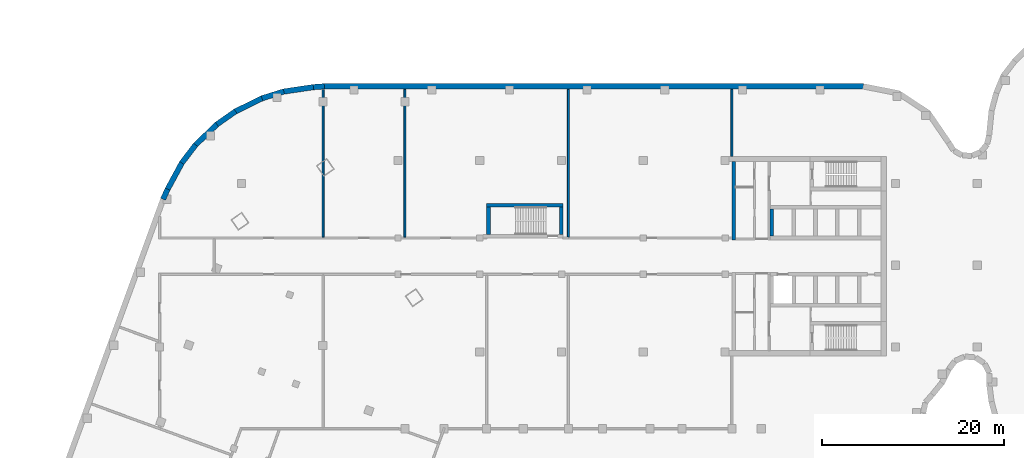
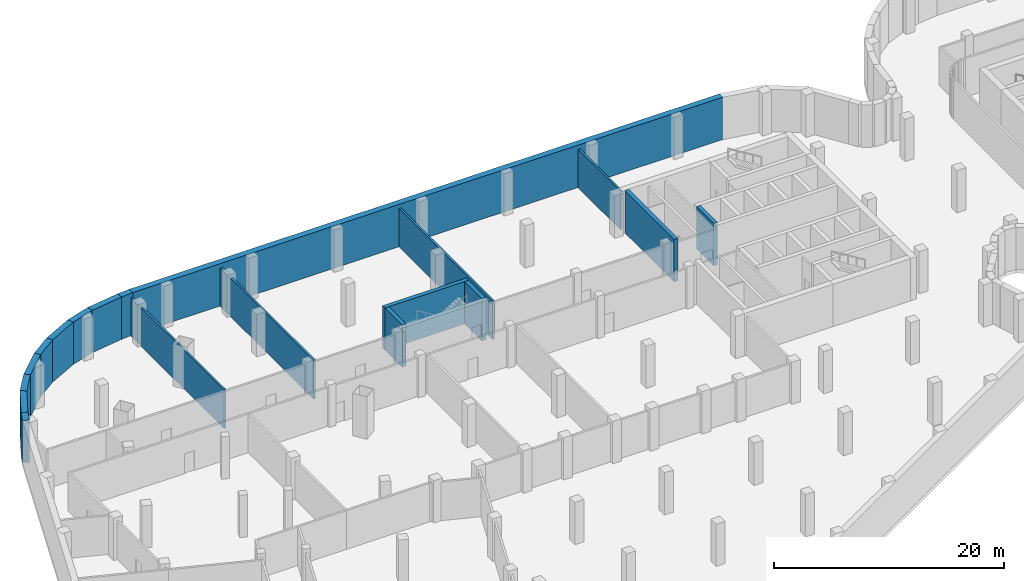
# One storey, part 9 of 16: 19 walls.
"""IFC4 building model written with IfcOpenShell, lengths in metres."""

from ifc_helpers import new_model, si_unit, direction, frame, frame_2d, origin, place, context, subcontext, project, spatial, rectangle, extrude, material, layer, layer_set, type_object, element, save


model = new_model("IFC4")

# Units and contexts
model_context = context("Model", 3, precision=1e-05, world=origin(), true_north=direction((0.0, 1.0)))
body_context = subcontext(model_context, "Body", "Model", "MODEL_VIEW")
ifc_project = project(units=[si_unit("LENGTHUNIT", "METRE"), si_unit("AREAUNIT", "SQUARE_METRE"), si_unit("VOLUMEUNIT", "CUBIC_METRE"), si_unit("PLANEANGLEUNIT", "RADIAN"), si_unit("MASSUNIT", "GRAM", prefix="KILO")], contexts=[model_context])

# Site, building, storey
site_placement = place(None, origin())
site = spatial("IfcSite", under=ifc_project, at=site_placement, CompositionType="ELEMENT")
building_placement = place(site_placement, origin())
building = spatial("IfcBuilding", under=site, at=building_placement, Name="Skarvind Civic Tower", CompositionType="ELEMENT")
storey_placement = place(building_placement, frame((0.0, 0.0, -4.5)))
storey = spatial("IfcBuildingStorey", under=building, at=storey_placement, Name="B1", CompositionType="ELEMENT", Elevation=-4.5)

# Walls
ifc_material_1 = material(Name="Concrete C40", Category="concrete")
ifc_layer_1 = layer(ifc_material_1, 0.60009765625)
ifc_layer_set_1 = layer_set([ifc_layer_1], Name="Basement retaining wall 600 C40")
wall_type_1 = type_object("IfcWallType", Name="Basement retaining wall 600 C40", PredefinedType="SHEAR", material=ifc_layer_set_1)
wall_1_placement = place(storey_placement, frame((28.38037109375, 134.268310546875, 0.0), z_axis=(0.0, 0.0, 1.0), x_axis=(0.410489806774, 0.911865186601, 0.0)))
element("IfcWall", 1, at=wall_1_placement, inside=storey, type_object=wall_type_1, Name="Basement retaining wall B1 15", PredefinedType="SHEAR", context=body_context, shape_type="SweptSolid", body=[
    extrude(rectangle(XDim=1.216796875, YDim=0.60009765625, at=frame_2d((0.6083984375, 0.0))), origin(), (0.0, 0.0, 1.0), 4.5),
])
wall_2_placement = place(storey_placement, frame((28.8701171875, 135.35791015625, 0.0), z_axis=(0.0, 0.0, 1.0), x_axis=(0.476454595908, 0.879199077591, 0.0)))
element("IfcWall", 2, at=wall_2_placement, inside=storey, type_object=wall_type_1, Name="Basement retaining wall B1 16", PredefinedType="SHEAR", context=body_context, shape_type="SweptSolid", body=[
    extrude(rectangle(XDim=3.3486328125, YDim=0.60009765625, at=frame_2d((1.67431640625, 0.0))), origin(), (0.0, 0.0, 1.0), 4.5),
])
wall_3_placement = place(storey_placement, frame((30.440673828125, 138.262939453125, 0.0), z_axis=(0.0, 0.0, 1.0), x_axis=(0.606063715653, 0.79541610027, 0.0)))
element("IfcWall", 3, at=wall_3_placement, inside=storey, type_object=wall_type_1, Name="Basement retaining wall B1 17", PredefinedType="SHEAR", context=body_context, shape_type="SweptSolid", body=[
    extrude(rectangle(XDim=2.51171875, YDim=0.60009765625, at=frame_2d((1.255859375, 0.0))), origin(), (0.0, 0.0, 1.0), 4.5),
])
wall_4_placement = place(storey_placement, frame((31.931884765625, 140.226318359375, 0.0), z_axis=(0.0, 0.0, 1.0), x_axis=(0.721212073243, 0.692714331747, 0.0)))
element("IfcWall", 4, at=wall_4_placement, inside=storey, type_object=wall_type_1, Name="Basement retaining wall B1 18", PredefinedType="SHEAR", context=body_context, shape_type="SweptSolid", body=[
    extrude(rectangle(XDim=3.341064453125, YDim=0.60009765625, at=frame_2d((1.67041015625, 0.0))), origin(), (0.0, 0.0, 1.0), 4.5),
])
wall_5_placement = place(storey_placement, frame((34.305908203125, 142.511474609375, 0.0), z_axis=(0.0, 0.0, 1.0), x_axis=(0.819136010061, 0.57359933492, 0.0)))
element("IfcWall", 5, at=wall_5_placement, inside=storey, type_object=wall_type_1, Name="Basement retaining wall B1 19", PredefinedType="SHEAR", context=body_context, shape_type="SweptSolid", body=[
    extrude(rectangle(XDim=2.51171875, YDim=0.60009765625, at=frame_2d((1.255859375, 0.0))), origin(), (0.0, 0.0, 1.0), 4.5),
])
wall_6_placement = place(storey_placement, frame((36.323486328125, 143.928466796875, 0.0), z_axis=(0.0, 0.0, 1.0), x_axis=(0.897590342017, 0.440830554656, 0.0)))
element("IfcWall", 6, at=wall_6_placement, inside=storey, type_object=wall_type_1, Name="Basement retaining wall B1 20", PredefinedType="SHEAR", context=body_context, shape_type="SweptSolid", body=[
    extrude(rectangle(XDim=3.34130859375, YDim=0.60009765625, at=frame_2d((1.670654296875, 0.0))), origin(), (0.0, 0.0, 1.0), 4.5),
])
wall_7_placement = place(storey_placement, frame((39.279541015625, 145.384033203125, 0.0), z_axis=(0.0, 0.0, 1.0), x_axis=(0.954711451083, 0.297533267335, 0.0)))
element("IfcWall", 7, at=wall_7_placement, inside=storey, type_object=wall_type_1, Name="Basement retaining wall B1 21", PredefinedType="SHEAR", context=body_context, shape_type="SweptSolid", body=[
    extrude(rectangle(XDim=2.51171875, YDim=0.60009765625, at=frame_2d((1.255859375, 0.0))), origin(), (0.0, 0.0, 1.0), 4.5),
])
wall_8_placement = place(storey_placement, frame((41.63232421875, 146.120849609375, 0.0), z_axis=(0.0, 0.0, 1.0), x_axis=(0.989117960185, 0.14712464389, 0.0)))
element("IfcWall", 8, at=wall_8_placement, inside=storey, type_object=wall_type_1, Name="Basement retaining wall B1 22", PredefinedType="SHEAR", context=body_context, shape_type="SweptSolid", body=[
    extrude(rectangle(XDim=3.3486328125, YDim=0.60009765625, at=frame_2d((1.67431640625, 0.0))), origin(), (0.0, 0.0, 1.0), 4.5),
])
wall_9_placement = place(storey_placement, frame((44.922607421875, 146.611083984375, 0.0), z_axis=(0.0, 0.0, 1.0), x_axis=(0.99726994401, 0.073842120603, 0.0)))
element("IfcWall", 9, at=wall_9_placement, inside=storey, type_object=wall_type_1, Name="Basement retaining wall B1 23", PredefinedType="SHEAR", context=body_context, shape_type="SweptSolid", body=[
    extrude(rectangle(XDim=1.216796875, YDim=0.60009765625, at=frame_2d((0.6083984375, 0.0))), origin(), (0.0, 0.0, 1.0), 4.5),
])
wall_10_placement = place(storey_placement, frame((46.114013671875, 146.699951171875, 0.0), z_axis=(0.0, 0.0, 1.0), x_axis=(1.0, 0.0, 0.0)))
element("IfcWall", 10, at=wall_10_placement, inside=storey, type_object=wall_type_1, Name="Basement retaining wall B1 24", PredefinedType="SHEAR", context=body_context, shape_type="SweptSolid", body=[
    extrude(rectangle(XDim=59.3642578125, YDim=0.60009765625, at=frame_2d((29.68212890625, 0.0))), origin(), (0.0, 0.0, 1.0), 4.5),
])
ifc_material_2 = material(Name="Concrete C80", Category="concrete")
ifc_layer_2 = layer(ifc_material_2, 0.39990234375)
ifc_layer_set_2 = layer_set([ifc_layer_2], Name="Core wall 400 C80")
wall_type_2 = type_object("IfcWallType", Name="Core wall 400 C80", PredefinedType="SHEAR", material=ifc_layer_set_2)
wall_11_placement = place(storey_placement, frame((95.39990234375, 133.199951171875, 0.0), z_axis=(0.0, 0.0, 1.0), x_axis=(0.0, -1.0, 0.0)))
element("IfcWall", 11, at=wall_11_placement, inside=storey, type_object=wall_type_2, Name="Core wall C1 south lift row division 5 B1", PredefinedType="SHEAR", context=body_context, shape_type="SweptSolid", body=[
    extrude(rectangle(XDim=3.0, YDim=0.39990234375, at=frame_2d((1.5, 0.0))), origin(), (0.0, 0.0, 1.0), 4.5),
])
wall_12_placement = place(storey_placement, frame((91.199951171875, 138.39990234375, 0.0), z_axis=(0.0, 0.0, 1.0), x_axis=(0.0, -1.0, 0.0)))
element("IfcWall", 12, at=wall_12_placement, inside=storey, type_object=wall_type_2, Name="Core wall C1 south inner face B1", PredefinedType="SHEAR", context=body_context, shape_type="SweptSolid", body=[
    extrude(rectangle(XDim=8.599853515625, YDim=0.39990234375, at=frame_2d((4.2998046875, 0.0))), origin(), (0.0, 0.0, 1.0), 4.5),
])
wall_13_placement = place(storey_placement, frame((64.0, 133.60009765625, 0.0), z_axis=(0.0, 0.0, 1.0), x_axis=(1.0, 0.0, 0.0)))
element("IfcWall", 13, at=wall_13_placement, inside=storey, type_object=wall_type_2, Name="Core wall CM outer B1", PredefinedType="SHEAR", context=body_context, shape_type="SweptSolid", body=[
    extrude(rectangle(XDim=8.39990234375, YDim=0.39990234375, at=frame_2d((4.199951171875, 0.0))), origin(), (0.0, 0.0, 1.0), 4.5),
])
for number, where, z_axis, x_axis, name in (
    (14, (64.199951171875, 130.39990234375, 0.0), (0.0, 0.0, 1.0), (0.0, 1.0, 0.0), "Core wall CM west B1"),
    (15, (72.199951171875, 130.39990234375, 0.0), (0.0, 0.0, 1.0), (0.0, 1.0, 0.0), "Core wall CM end B1"),
):
    element("IfcWall", number, at=place(storey_placement, frame(where, z_axis=z_axis, x_axis=x_axis)), inside=storey, type_object=wall_type_2, Name=name, PredefinedType="SHEAR", context=body_context, shape_type="SweptSolid", body=[
        extrude(rectangle(XDim=3.0, YDim=0.39990234375, at=frame_2d((1.5, 0.0))), origin(), (0.0, 0.0, 1.0), 4.5),
    ])
ifc_material_3 = material(Name="Fire-rated blockwork wall, plastered", Category="masonry")
ifc_layer_3 = layer(ifc_material_3, 0.199951171875)
ifc_layer_set_3 = layer_set([ifc_layer_3], Name="FIRE WALL 200 EI 120")
wall_type_3 = type_object("IfcWallType", Name="FIRE WALL 200 EI 120", PredefinedType="PARTITIONING", material=ifc_layer_set_3)
wall_14_placement = place(storey_placement, frame((73.0, 130.10009765625, 0.0), z_axis=(0.0, 0.0, 1.0), x_axis=(0.0, 1.0, 0.0)))
element("IfcWall", 16, at=wall_14_placement, inside=storey, type_object=wall_type_3, Name="Basement partition B1 029", PredefinedType="PARTITIONING", context=body_context, shape_type="SweptSolid", body=[
    extrude(rectangle(XDim=16.25, YDim=0.199951171875, at=frame_2d((8.125, 0.0))), origin(), (0.0, 0.0, 1.0), 4.10009765625),
])
wall_15_placement = place(storey_placement, frame((91.0, 139.0, 0.0), z_axis=(0.0, 0.0, 1.0), x_axis=(0.0, 1.0, 0.0)))
element("IfcWall", 17, at=wall_15_placement, inside=storey, type_object=wall_type_3, Name="Basement partition B1 032", PredefinedType="PARTITIONING", context=body_context, shape_type="SweptSolid", body=[
    extrude(rectangle(XDim=7.35009765625, YDim=0.199951171875, at=frame_2d((3.675048828125, 0.0))), origin(), (0.0, 0.0, 1.0), 4.10009765625),
])
ifc_layer_4 = layer(ifc_material_3, 0.199951171875)
ifc_layer_set_4 = layer_set([ifc_layer_4], Name="FIRE WALL 200 EI 60")
wall_type_4 = type_object("IfcWallType", Name="FIRE WALL 200 EI 60", PredefinedType="PARTITIONING", material=ifc_layer_set_4)
wall_16_placement = place(storey_placement, frame((46.0, 130.10009765625, 0.0), z_axis=(0.0, 0.0, 1.0), x_axis=(0.0, 1.0, 0.0)))
element("IfcWall", 18, at=wall_16_placement, inside=storey, type_object=wall_type_4, Name="Basement partition B1 019", PredefinedType="PARTITIONING", context=body_context, shape_type="SweptSolid", body=[
    extrude(rectangle(XDim=16.239990234375, YDim=0.199951171875, at=frame_2d((8.1201171875, 0.0))), origin(), (0.0, 0.0, 1.0), 4.10009765625),
])
wall_17_placement = place(storey_placement, frame((55.0, 130.10009765625, 0.0), z_axis=(0.0, 0.0, 1.0), x_axis=(0.0, 1.0, 0.0)))
element("IfcWall", 19, at=wall_17_placement, inside=storey, type_object=wall_type_4, Name="Basement partition B1 023", PredefinedType="PARTITIONING", context=body_context, shape_type="SweptSolid", body=[
    extrude(rectangle(XDim=16.25, YDim=0.199951171875, at=frame_2d((8.125, 0.0))), origin(), (0.0, 0.0, 1.0), 4.10009765625),
])

save(model, "model.ifc")
